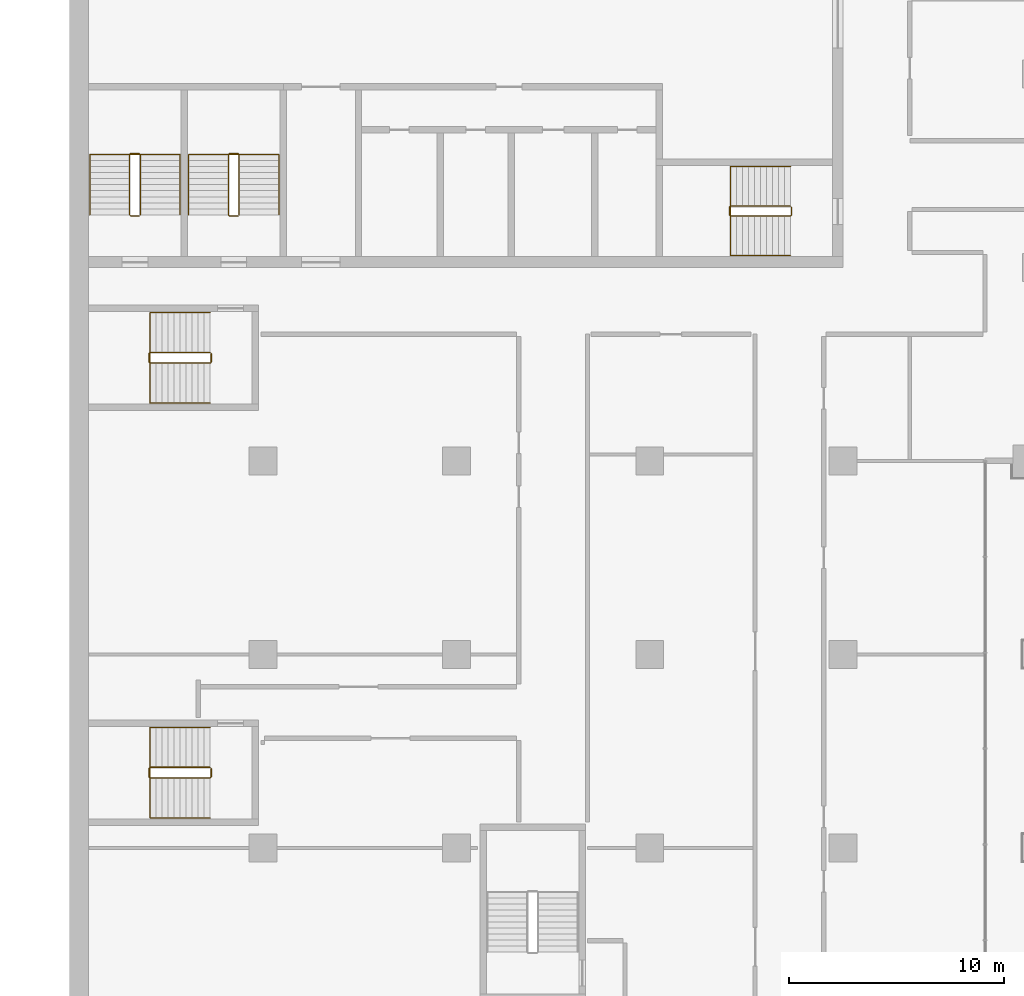
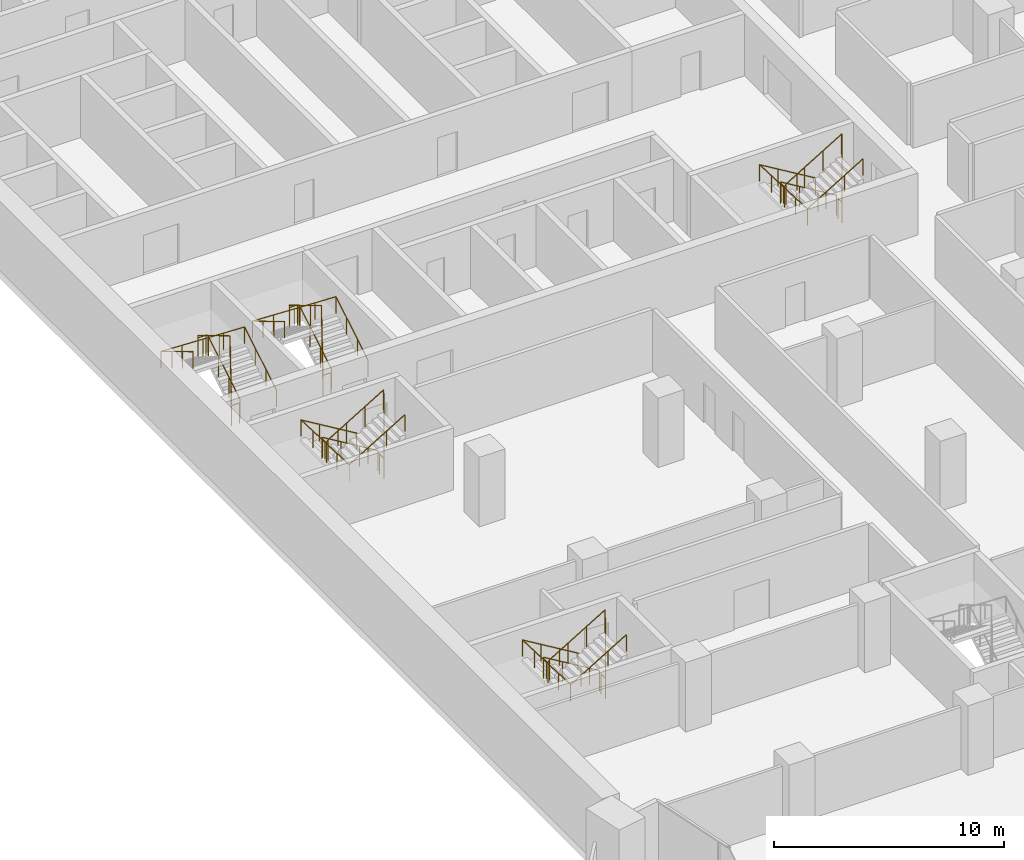
# One storey, part 21 of 23: 10 railings.
"""IFC4 building model written with IfcOpenShell, lengths in metres."""

from ifc_helpers import new_model, si_unit, direction, frame, origin, origin_2d, place, context, subcontext, project, spatial, circle, extrude, material, type_object, element, save


model = new_model("IFC4")

# Units and contexts
model_context = context("Model", 3, precision=1e-05, world=origin(), true_north=direction((0.0, 1.0)))
body_context = subcontext(model_context, "Body", "Model", "MODEL_VIEW")
ifc_project = project(units=[si_unit("LENGTHUNIT", "METRE"), si_unit("AREAUNIT", "SQUARE_METRE"), si_unit("VOLUMEUNIT", "CUBIC_METRE"), si_unit("PLANEANGLEUNIT", "RADIAN"), si_unit("MASSUNIT", "GRAM", prefix="KILO")], contexts=[model_context])

# Site, building, storey
site_placement = place(None, origin())
site = spatial("IfcSite", under=ifc_project, at=site_placement, CompositionType="ELEMENT")
building_placement = place(site_placement, origin())
building = spatial("IfcBuilding", under=site, at=building_placement, Name="Hunhe Ridgeline Campus", CompositionType="ELEMENT")
storey_placement = place(building_placement, frame((0.0, 0.0, 99.60009765625)))
storey = spatial("IfcBuildingStorey", under=building, at=storey_placement, Name="L24", CompositionType="ELEMENT", Elevation=99.60009765625)

# Railings
ifc_material_1 = material(Name="Stainless steel balustrade", Category="steel")
railing_type_1 = type_object("IfcRailingType", Name="Stair guard 1100 stainless", PredefinedType="GUARDRAIL", material=ifc_material_1)
railing_1_placement = place(storey_placement, frame((33.550048828125, 65.85009765625, 0.16796875)))
element("IfcRailing", 1, at=railing_1_placement, inside=storey, type_object=railing_type_1, Name="L24 stair S2 guard", PredefinedType="GUARDRAIL", context=body_context, shape_type="SweptSolid", body=[
    extrude(circle(Radius=0.02392578125, at=origin_2d()), frame((0.0, 0.0, 1.076171875), z_axis=(-0.857242210791, 0.0, 0.514913383045), x_axis=(0.0, -1.0, 0.0)), (0.0, 0.0, 1.0), 3.266357421875),
    extrude(circle(Radius=0.02392578125, at=origin_2d()), frame((-2.800048828125, 0.0, 2.7578125), z_axis=(-0.707106781187, -0.707106781187, 0.0), x_axis=(0.707106781187, -0.707106781187, 0.0)), (0.0, 0.0, 1.0), 0.07080078125),
    extrude(circle(Radius=0.02392578125, at=origin_2d()), frame((-2.85009765625, -0.050048828125, 2.7578125), z_axis=(0.0, -1.0, 0.0), x_axis=(1.0, 0.0, 0.0)), (0.0, 0.0, 1.0), 0.35009765625),
    extrude(circle(Radius=0.02392578125, at=origin_2d()), frame((-2.85009765625, -0.400146484375, 2.7578125), z_axis=(0.274243871929, -0.274243871929, 0.92172696468), x_axis=(0.707106781187, 0.707106781187, 0.0)), (0.0, 0.0, 1.0), 0.1826171875),
    extrude(circle(Radius=0.02392578125, at=origin_2d()), frame((-2.800048828125, -0.4501953125, 2.92626953125), z_axis=(0.857242210791, 0.0, 0.514913383045), x_axis=(0.0, 1.0, 0.0)), (0.0, 0.0, 1.0), 3.266357421875),
    extrude(circle(Radius=0.02392578125, at=origin_2d()), frame((0.0, -0.4501953125, 4.60791015625), z_axis=(0.013524414389, 0.013524414389, -0.999817073484), x_axis=(-0.707106781187, 0.707106781187, 0.0)), (0.0, 0.0, 1.0), 3.70068359375),
    extrude(circle(Radius=0.02392578125, at=origin_2d()), frame((0.050048828125, -0.400146484375, 0.908203125), z_axis=(0.0, 1.0, 0.0), x_axis=(-1.0, 0.0, 0.0)), (0.0, 0.0, 1.0), 0.35009765625),
    extrude(circle(Radius=0.02099609375, at=origin_2d()), origin(), (0.0, 0.0, 1.0), 1.052001953125),
    extrude(circle(Radius=0.02099609375, at=origin_2d()), frame((-0.933349609375, 0.0, 0.560546875)), (0.0, 0.0, 1.0), 1.052001953125),
    extrude(circle(Radius=0.02099609375, at=origin_2d()), frame((-1.86669921875, 0.0, 1.121337890625)), (0.0, 0.0, 1.0), 1.052001953125),
    extrude(circle(Radius=0.02099609375, at=origin_2d()), frame((-2.800048828125, 0.0, 1.681884765625)), (0.0, 0.0, 1.0), 1.052001953125),
    extrude(circle(Radius=0.02099609375, at=origin_2d()), frame((-2.85009765625, -0.050048828125, 1.681884765625)), (0.0, 0.0, 1.0), 1.052001953125),
    extrude(circle(Radius=0.02099609375, at=origin_2d()), frame((-2.85009765625, -0.400146484375, 1.681884765625)), (0.0, 0.0, 1.0), 1.052001953125),
    extrude(circle(Radius=0.02099609375, at=origin_2d()), frame((-2.800048828125, -0.4501953125, 1.85009765625)), (0.0, 0.0, 1.0), 1.052001953125),
    extrude(circle(Radius=0.02099609375, at=origin_2d()), frame((-1.86669921875, -0.4501953125, 2.41064453125)), (0.0, 0.0, 1.0), 1.052001953125),
    extrude(circle(Radius=0.02099609375, at=origin_2d()), frame((-0.933349609375, -0.4501953125, 2.971435546875)), (0.0, 0.0, 1.0), 1.052001953125),
    extrude(circle(Radius=0.02099609375, at=origin_2d()), frame((0.0, -0.4501953125, 3.531982421875)), (0.0, 0.0, 1.0), 1.052001953125),
    extrude(circle(Radius=0.02099609375, at=origin_2d()), frame((0.012451171875, -0.437744140625, 2.60693359375)), (0.0, 0.0, 1.0), 1.052001953125),
    extrude(circle(Radius=0.02099609375, at=origin_2d()), frame((0.02490234375, -0.42529296875, 1.68212890625)), (0.0, 0.0, 1.0), 1.052001953125),
    extrude(circle(Radius=0.02099609375, at=origin_2d()), frame((0.03759765625, -0.41259765625, 0.757080078125)), (0.0, 0.0, 1.0), 1.052001953125),
    extrude(circle(Radius=0.02099609375, at=origin_2d()), frame((0.050048828125, -0.400146484375, -0.16796875)), (0.0, 0.0, 1.0), 1.052001953125),
    extrude(circle(Radius=0.02099609375, at=origin_2d()), frame((0.050048828125, -0.050048828125, -0.16796875)), (0.0, 0.0, 1.0), 1.052001953125),
])
railing_2_placement = place(storey_placement, frame((3.300048828125, 65.449951171875, 0.16796875)))
element("IfcRailing", 2, at=railing_2_placement, inside=storey, type_object=railing_type_1, Name="L24 stair S3 guard", PredefinedType="GUARDRAIL", context=body_context, shape_type="SweptSolid", body=[
    extrude(circle(Radius=0.02392578125, at=origin_2d()), frame((0.0, 0.0, 1.076171875), z_axis=(0.0, 0.857242210791, 0.514913383045), x_axis=(-1.0, 0.0, 0.0)), (0.0, 0.0, 1.0), 3.266357421875),
    extrude(circle(Radius=0.02392578125, at=origin_2d()), frame((0.0, 2.800048828125, 2.7578125), z_axis=(-0.707106781187, 0.707106781187, 0.0), x_axis=(-0.707106781187, -0.707106781187, 0.0)), (0.0, 0.0, 1.0), 0.07080078125),
    extrude(circle(Radius=0.02392578125, at=origin_2d()), frame((-0.050048828125, 2.85009765625, 2.7578125), z_axis=(-1.0, 0.0, 0.0), x_axis=(0.0, -1.0, 0.0)), (0.0, 0.0, 1.0), 0.39990234375),
    extrude(circle(Radius=0.02392578125, at=origin_2d()), frame((-0.449951171875, 2.85009765625, 2.7578125), z_axis=(-0.274243871929, -0.274243871929, 0.92172696468), x_axis=(0.707106781187, -0.707106781187, 0.0)), (0.0, 0.0, 1.0), 0.1826171875),
    extrude(circle(Radius=0.02392578125, at=origin_2d()), frame((-0.5, 2.800048828125, 2.92626953125), z_axis=(0.0, -0.857242210791, 0.514913383045), x_axis=(1.0, 0.0, 0.0)), (0.0, 0.0, 1.0), 3.266357421875),
    extrude(circle(Radius=0.02392578125, at=origin_2d()), frame((-0.5, 0.0, 4.60791015625), z_axis=(0.013524414389, -0.013524414389, -0.999817073484), x_axis=(0.707106781187, 0.707106781187, 0.0)), (0.0, 0.0, 1.0), 3.70068359375),
    extrude(circle(Radius=0.02392578125, at=origin_2d()), frame((-0.449951171875, -0.050048828125, 0.908203125), z_axis=(1.0, 0.0, 0.0), x_axis=(0.0, 1.0, 0.0)), (0.0, 0.0, 1.0), 0.39990234375),
    extrude(circle(Radius=0.02099609375, at=origin_2d()), origin(), (0.0, 0.0, 1.0), 1.052001953125),
    extrude(circle(Radius=0.02099609375, at=origin_2d()), frame((0.0, 0.933349609375, 0.560546875)), (0.0, 0.0, 1.0), 1.052001953125),
    extrude(circle(Radius=0.02099609375, at=origin_2d()), frame((0.0, 1.86669921875, 1.121337890625)), (0.0, 0.0, 1.0), 1.052001953125),
    extrude(circle(Radius=0.02099609375, at=origin_2d()), frame((0.0, 2.800048828125, 1.681884765625)), (0.0, 0.0, 1.0), 1.052001953125),
    extrude(circle(Radius=0.02099609375, at=origin_2d()), frame((-0.050048828125, 2.85009765625, 1.681884765625)), (0.0, 0.0, 1.0), 1.052001953125),
    extrude(circle(Radius=0.02099609375, at=origin_2d()), frame((-0.449951171875, 2.85009765625, 1.681884765625)), (0.0, 0.0, 1.0), 1.052001953125),
    extrude(circle(Radius=0.02099609375, at=origin_2d()), frame((-0.5, 2.800048828125, 1.85009765625)), (0.0, 0.0, 1.0), 1.052001953125),
    extrude(circle(Radius=0.02099609375, at=origin_2d()), frame((-0.5, 1.86669921875, 2.41064453125)), (0.0, 0.0, 1.0), 1.052001953125),
    extrude(circle(Radius=0.02099609375, at=origin_2d()), frame((-0.5, 0.933349609375, 2.971435546875)), (0.0, 0.0, 1.0), 1.052001953125),
    extrude(circle(Radius=0.02099609375, at=origin_2d()), frame((-0.5, 0.0, 3.531982421875)), (0.0, 0.0, 1.0), 1.052001953125),
    extrude(circle(Radius=0.02099609375, at=origin_2d()), frame((-0.487548828125, -0.012451171875, 2.60693359375)), (0.0, 0.0, 1.0), 1.052001953125),
    extrude(circle(Radius=0.02099609375, at=origin_2d()), frame((-0.47509765625, -0.02490234375, 1.68212890625)), (0.0, 0.0, 1.0), 1.052001953125),
    extrude(circle(Radius=0.02099609375, at=origin_2d()), frame((-0.46240234375, -0.03759765625, 0.757080078125)), (0.0, 0.0, 1.0), 1.052001953125),
    extrude(circle(Radius=0.02099609375, at=origin_2d()), frame((-0.449951171875, -0.050048828125, -0.16796875)), (0.0, 0.0, 1.0), 1.052001953125),
    extrude(circle(Radius=0.02099609375, at=origin_2d()), frame((-0.050048828125, -0.050048828125, -0.16796875)), (0.0, 0.0, 1.0), 1.052001953125),
])
railing_3_placement = place(storey_placement, frame((7.89990234375, 65.449951171875, 0.16796875)))
element("IfcRailing", 3, at=railing_3_placement, inside=storey, type_object=railing_type_1, Name="L24 stair S4 guard", PredefinedType="GUARDRAIL", context=body_context, shape_type="SweptSolid", body=[
    extrude(circle(Radius=0.02392578125, at=origin_2d()), frame((0.0, 0.0, 1.076171875), z_axis=(0.0, 0.857242210791, 0.514913383045), x_axis=(-1.0, 0.0, 0.0)), (0.0, 0.0, 1.0), 3.266357421875),
    extrude(circle(Radius=0.02392578125, at=origin_2d()), frame((0.0, 2.800048828125, 2.7578125), z_axis=(-0.705375805398, 0.708833529934, 0.0), x_axis=(-0.708833529934, -0.705375805398, 0.0)), (0.0, 0.0, 1.0), 0.070556640625),
    extrude(circle(Radius=0.02392578125, at=origin_2d()), frame((-0.0498046875, 2.85009765625, 2.7578125), z_axis=(-1.0, 0.0, 0.0), x_axis=(0.0, -1.0, 0.0)), (0.0, 0.0, 1.0), 0.400146484375),
    extrude(circle(Radius=0.02392578125, at=origin_2d()), frame((-0.449951171875, 2.85009765625, 2.7578125), z_axis=(-0.274243871929, -0.274243871929, 0.92172696468), x_axis=(0.707106781187, -0.707106781187, 0.0)), (0.0, 0.0, 1.0), 0.1826171875),
    extrude(circle(Radius=0.02392578125, at=origin_2d()), frame((-0.5, 2.800048828125, 2.92626953125), z_axis=(0.0, -0.857242210791, 0.514913383045), x_axis=(1.0, 0.0, 0.0)), (0.0, 0.0, 1.0), 3.266357421875),
    extrude(circle(Radius=0.02392578125, at=origin_2d()), frame((-0.5, 0.0, 4.60791015625), z_axis=(0.013524414389, -0.013524414389, -0.999817073484), x_axis=(0.707106781187, 0.707106781187, 0.0)), (0.0, 0.0, 1.0), 3.70068359375),
    extrude(circle(Radius=0.02392578125, at=origin_2d()), frame((-0.449951171875, -0.050048828125, 0.908203125), z_axis=(1.0, 0.0, 0.0), x_axis=(0.0, 1.0, 0.0)), (0.0, 0.0, 1.0), 0.400146484375),
    extrude(circle(Radius=0.02099609375, at=origin_2d()), origin(), (0.0, 0.0, 1.0), 1.052001953125),
    extrude(circle(Radius=0.02099609375, at=origin_2d()), frame((0.0, 0.933349609375, 0.560546875)), (0.0, 0.0, 1.0), 1.052001953125),
    extrude(circle(Radius=0.02099609375, at=origin_2d()), frame((0.0, 1.86669921875, 1.121337890625)), (0.0, 0.0, 1.0), 1.052001953125),
    extrude(circle(Radius=0.02099609375, at=origin_2d()), frame((0.0, 2.800048828125, 1.681884765625)), (0.0, 0.0, 1.0), 1.052001953125),
    extrude(circle(Radius=0.02099609375, at=origin_2d()), frame((-0.0498046875, 2.85009765625, 1.681884765625)), (0.0, 0.0, 1.0), 1.052001953125),
    extrude(circle(Radius=0.02099609375, at=origin_2d()), frame((-0.449951171875, 2.85009765625, 1.681884765625)), (0.0, 0.0, 1.0), 1.052001953125),
    extrude(circle(Radius=0.02099609375, at=origin_2d()), frame((-0.5, 2.800048828125, 1.85009765625)), (0.0, 0.0, 1.0), 1.052001953125),
    extrude(circle(Radius=0.02099609375, at=origin_2d()), frame((-0.5, 1.86669921875, 2.41064453125)), (0.0, 0.0, 1.0), 1.052001953125),
    extrude(circle(Radius=0.02099609375, at=origin_2d()), frame((-0.5, 0.933349609375, 2.971435546875)), (0.0, 0.0, 1.0), 1.052001953125),
    extrude(circle(Radius=0.02099609375, at=origin_2d()), frame((-0.5, 0.0, 3.531982421875)), (0.0, 0.0, 1.0), 1.052001953125),
    extrude(circle(Radius=0.02099609375, at=origin_2d()), frame((-0.487548828125, -0.012451171875, 2.60693359375)), (0.0, 0.0, 1.0), 1.052001953125),
    extrude(circle(Radius=0.02099609375, at=origin_2d()), frame((-0.47509765625, -0.02490234375, 1.68212890625)), (0.0, 0.0, 1.0), 1.052001953125),
    extrude(circle(Radius=0.02099609375, at=origin_2d()), frame((-0.46240234375, -0.03759765625, 0.757080078125)), (0.0, 0.0, 1.0), 1.052001953125),
    extrude(circle(Radius=0.02099609375, at=origin_2d()), frame((-0.449951171875, -0.050048828125, -0.16796875)), (0.0, 0.0, 1.0), 1.052001953125),
    extrude(circle(Radius=0.02099609375, at=origin_2d()), frame((-0.0498046875, -0.050048828125, -0.16796875)), (0.0, 0.0, 1.0), 1.052001953125),
])
railing_4_placement = place(storey_placement, frame((6.550048828125, 39.75, 0.16796875)))
element("IfcRailing", 4, at=railing_4_placement, inside=storey, type_object=railing_type_1, Name="L24 stair W1 guard", PredefinedType="GUARDRAIL", context=body_context, shape_type="SweptSolid", body=[
    extrude(circle(Radius=0.02392578125, at=origin_2d()), frame((0.0, 0.0, 1.076171875), z_axis=(-0.857242210791, 0.0, 0.514913383045), x_axis=(0.0, -1.0, 0.0)), (0.0, 0.0, 1.0), 3.266357421875),
    extrude(circle(Radius=0.02392578125, at=origin_2d()), frame((-2.800048828125, 0.0, 2.7578125), z_axis=(-0.707106781187, -0.707106781187, 0.0), x_axis=(0.707106781187, -0.707106781187, 0.0)), (0.0, 0.0, 1.0), 0.07080078125),
    extrude(circle(Radius=0.02392578125, at=origin_2d()), frame((-2.85009765625, -0.050048828125, 2.7578125), z_axis=(0.0, -1.0, 0.0), x_axis=(1.0, 0.0, 0.0)), (0.0, 0.0, 1.0), 0.39990234375),
    extrude(circle(Radius=0.02392578125, at=origin_2d()), frame((-2.85009765625, -0.449951171875, 2.7578125), z_axis=(0.274243871929, -0.274243871929, 0.92172696468), x_axis=(0.707106781187, 0.707106781187, 0.0)), (0.0, 0.0, 1.0), 0.1826171875),
    extrude(circle(Radius=0.02392578125, at=origin_2d()), frame((-2.800048828125, -0.5, 2.92626953125), z_axis=(0.857242210791, 0.0, 0.514913383045), x_axis=(0.0, 1.0, 0.0)), (0.0, 0.0, 1.0), 3.266357421875),
    extrude(circle(Radius=0.02392578125, at=origin_2d()), frame((0.0, -0.5, 4.60791015625), z_axis=(0.013524414389, 0.013524414389, -0.999817073484), x_axis=(-0.707106781187, 0.707106781187, 0.0)), (0.0, 0.0, 1.0), 3.70068359375),
    extrude(circle(Radius=0.02392578125, at=origin_2d()), frame((0.050048828125, -0.449951171875, 0.908203125), z_axis=(0.0, 1.0, 0.0), x_axis=(-1.0, 0.0, 0.0)), (0.0, 0.0, 1.0), 0.39990234375),
    extrude(circle(Radius=0.02099609375, at=origin_2d()), origin(), (0.0, 0.0, 1.0), 1.052001953125),
    extrude(circle(Radius=0.02099609375, at=origin_2d()), frame((-0.933349609375, 0.0, 0.560546875)), (0.0, 0.0, 1.0), 1.052001953125),
    extrude(circle(Radius=0.02099609375, at=origin_2d()), frame((-1.86669921875, 0.0, 1.121337890625)), (0.0, 0.0, 1.0), 1.052001953125),
    extrude(circle(Radius=0.02099609375, at=origin_2d()), frame((-2.800048828125, 0.0, 1.681884765625)), (0.0, 0.0, 1.0), 1.052001953125),
    extrude(circle(Radius=0.02099609375, at=origin_2d()), frame((-2.85009765625, -0.050048828125, 1.681884765625)), (0.0, 0.0, 1.0), 1.052001953125),
    extrude(circle(Radius=0.02099609375, at=origin_2d()), frame((-2.85009765625, -0.449951171875, 1.681884765625)), (0.0, 0.0, 1.0), 1.052001953125),
    extrude(circle(Radius=0.02099609375, at=origin_2d()), frame((-2.800048828125, -0.5, 1.85009765625)), (0.0, 0.0, 1.0), 1.052001953125),
    extrude(circle(Radius=0.02099609375, at=origin_2d()), frame((-1.86669921875, -0.5, 2.41064453125)), (0.0, 0.0, 1.0), 1.052001953125),
    extrude(circle(Radius=0.02099609375, at=origin_2d()), frame((-0.933349609375, -0.5, 2.971435546875)), (0.0, 0.0, 1.0), 1.052001953125),
    extrude(circle(Radius=0.02099609375, at=origin_2d()), frame((0.0, -0.5, 3.531982421875)), (0.0, 0.0, 1.0), 1.052001953125),
    extrude(circle(Radius=0.02099609375, at=origin_2d()), frame((0.012451171875, -0.487548828125, 2.60693359375)), (0.0, 0.0, 1.0), 1.052001953125),
    extrude(circle(Radius=0.02099609375, at=origin_2d()), frame((0.02490234375, -0.47509765625, 1.68212890625)), (0.0, 0.0, 1.0), 1.052001953125),
    extrude(circle(Radius=0.02099609375, at=origin_2d()), frame((0.03759765625, -0.46240234375, 0.757080078125)), (0.0, 0.0, 1.0), 1.052001953125),
    extrude(circle(Radius=0.02099609375, at=origin_2d()), frame((0.050048828125, -0.449951171875, -0.16796875)), (0.0, 0.0, 1.0), 1.052001953125),
    extrude(circle(Radius=0.02099609375, at=origin_2d()), frame((0.050048828125, -0.050048828125, -0.16796875)), (0.0, 0.0, 1.0), 1.052001953125),
])
railing_5_placement = place(storey_placement, frame((6.550048828125, 59.050048828125, 0.16796875)))
element("IfcRailing", 5, at=railing_5_placement, inside=storey, type_object=railing_type_1, Name="L24 stair W2 guard", PredefinedType="GUARDRAIL", context=body_context, shape_type="SweptSolid", body=[
    extrude(circle(Radius=0.02392578125, at=origin_2d()), frame((0.0, 0.0, 1.076171875), z_axis=(-0.857242210791, 0.0, 0.514913383045), x_axis=(0.0, -1.0, 0.0)), (0.0, 0.0, 1.0), 3.266357421875),
    extrude(circle(Radius=0.02392578125, at=origin_2d()), frame((-2.800048828125, 0.0, 2.7578125), z_axis=(-0.707106781187, -0.707106781187, 0.0), x_axis=(0.707106781187, -0.707106781187, 0.0)), (0.0, 0.0, 1.0), 0.07080078125),
    extrude(circle(Radius=0.02392578125, at=origin_2d()), frame((-2.85009765625, -0.050048828125, 2.7578125), z_axis=(0.0, -1.0, 0.0), x_axis=(1.0, 0.0, 0.0)), (0.0, 0.0, 1.0), 0.39990234375),
    extrude(circle(Radius=0.02392578125, at=origin_2d()), frame((-2.85009765625, -0.449951171875, 2.7578125), z_axis=(0.274243871929, -0.274243871929, 0.92172696468), x_axis=(0.707106781187, 0.707106781187, 0.0)), (0.0, 0.0, 1.0), 0.1826171875),
    extrude(circle(Radius=0.02392578125, at=origin_2d()), frame((-2.800048828125, -0.5, 2.92626953125), z_axis=(0.857242210791, 0.0, 0.514913383045), x_axis=(0.0, 1.0, 0.0)), (0.0, 0.0, 1.0), 3.266357421875),
    extrude(circle(Radius=0.02392578125, at=origin_2d()), frame((0.0, -0.5, 4.60791015625), z_axis=(0.013524414389, 0.013524414389, -0.999817073484), x_axis=(-0.707106781187, 0.707106781187, 0.0)), (0.0, 0.0, 1.0), 3.70068359375),
    extrude(circle(Radius=0.02392578125, at=origin_2d()), frame((0.050048828125, -0.449951171875, 0.908203125), z_axis=(0.0, 1.0, 0.0), x_axis=(-1.0, 0.0, 0.0)), (0.0, 0.0, 1.0), 0.39990234375),
    extrude(circle(Radius=0.02099609375, at=origin_2d()), origin(), (0.0, 0.0, 1.0), 1.052001953125),
    extrude(circle(Radius=0.02099609375, at=origin_2d()), frame((-0.933349609375, 0.0, 0.560546875)), (0.0, 0.0, 1.0), 1.052001953125),
    extrude(circle(Radius=0.02099609375, at=origin_2d()), frame((-1.86669921875, 0.0, 1.121337890625)), (0.0, 0.0, 1.0), 1.052001953125),
    extrude(circle(Radius=0.02099609375, at=origin_2d()), frame((-2.800048828125, 0.0, 1.681884765625)), (0.0, 0.0, 1.0), 1.052001953125),
    extrude(circle(Radius=0.02099609375, at=origin_2d()), frame((-2.85009765625, -0.050048828125, 1.681884765625)), (0.0, 0.0, 1.0), 1.052001953125),
    extrude(circle(Radius=0.02099609375, at=origin_2d()), frame((-2.85009765625, -0.449951171875, 1.681884765625)), (0.0, 0.0, 1.0), 1.052001953125),
    extrude(circle(Radius=0.02099609375, at=origin_2d()), frame((-2.800048828125, -0.5, 1.85009765625)), (0.0, 0.0, 1.0), 1.052001953125),
    extrude(circle(Radius=0.02099609375, at=origin_2d()), frame((-1.86669921875, -0.5, 2.41064453125)), (0.0, 0.0, 1.0), 1.052001953125),
    extrude(circle(Radius=0.02099609375, at=origin_2d()), frame((-0.933349609375, -0.5, 2.971435546875)), (0.0, 0.0, 1.0), 1.052001953125),
    extrude(circle(Radius=0.02099609375, at=origin_2d()), frame((0.0, -0.5, 3.531982421875)), (0.0, 0.0, 1.0), 1.052001953125),
    extrude(circle(Radius=0.02099609375, at=origin_2d()), frame((0.012451171875, -0.487548828125, 2.60693359375)), (0.0, 0.0, 1.0), 1.052001953125),
    extrude(circle(Radius=0.02099609375, at=origin_2d()), frame((0.02490234375, -0.47509765625, 1.68212890625)), (0.0, 0.0, 1.0), 1.052001953125),
    extrude(circle(Radius=0.02099609375, at=origin_2d()), frame((0.03759765625, -0.46240234375, 0.757080078125)), (0.0, 0.0, 1.0), 1.052001953125),
    extrude(circle(Radius=0.02099609375, at=origin_2d()), frame((0.050048828125, -0.449951171875, -0.16796875)), (0.0, 0.0, 1.0), 1.052001953125),
    extrude(circle(Radius=0.02099609375, at=origin_2d()), frame((0.050048828125, -0.050048828125, -0.16796875)), (0.0, 0.0, 1.0), 1.052001953125),
])
ifc_material_2 = material(Name="Stainless steel handrail", Category="steel")
railing_type_2 = type_object("IfcRailingType", Name="Stair handrail 900 stainless", PredefinedType="HANDRAIL", material=ifc_material_2)
railing_6_placement = place(storey_placement, frame((33.550048828125, 67.699951171875, 0.16796875)))
element("IfcRailing", 6, at=railing_6_placement, inside=storey, type_object=railing_type_2, Name="L24 stair S2 handrail", PredefinedType="HANDRAIL", context=body_context, shape_type="SweptSolid", body=[
    extrude(circle(Radius=0.02392578125, at=origin_2d()), frame((0.0, 0.0, 0.8759765625), z_axis=(-0.857242210791, 0.0, 0.514913383045), x_axis=(0.0, -1.0, 0.0)), (0.0, 0.0, 1.0), 3.266357421875),
    extrude(circle(Radius=0.02392578125, at=origin_2d()), frame((-2.800048828125, 0.0, 2.5576171875), z_axis=(0.0, -0.99917950104, 0.040500922239), x_axis=(1.0, 0.0, 0.0)), (0.0, 0.0, 1.0), 4.1533203125),
    extrude(circle(Radius=0.02392578125, at=origin_2d()), frame((-2.800048828125, -4.14990234375, 2.72607421875), z_axis=(0.857242210791, 0.0, 0.514913383045), x_axis=(0.0, 1.0, 0.0)), (0.0, 0.0, 1.0), 3.266357421875),
    extrude(circle(Radius=0.02099609375, at=origin_2d()), origin(), (0.0, 0.0, 1.0), 0.851806640625),
    extrude(circle(Radius=0.02099609375, at=origin_2d()), frame((-0.933349609375, 0.0, 0.560546875)), (0.0, 0.0, 1.0), 0.851806640625),
    extrude(circle(Radius=0.02099609375, at=origin_2d()), frame((-1.86669921875, 0.0, 1.121337890625)), (0.0, 0.0, 1.0), 0.851806640625),
    extrude(circle(Radius=0.02099609375, at=origin_2d()), frame((-2.800048828125, 0.0, 1.681884765625)), (0.0, 0.0, 1.0), 0.851806640625),
    extrude(circle(Radius=0.02099609375, at=origin_2d()), frame((-2.800048828125, -1.03759765625, 1.723876953125)), (0.0, 0.0, 1.0), 0.851806640625),
    extrude(circle(Radius=0.02099609375, at=origin_2d()), frame((-2.800048828125, -2.074951171875, 1.76611328125)), (0.0, 0.0, 1.0), 0.851806640625),
    extrude(circle(Radius=0.02099609375, at=origin_2d()), frame((-2.800048828125, -3.1123046875, 1.80810546875)), (0.0, 0.0, 1.0), 0.851806640625),
    extrude(circle(Radius=0.02099609375, at=origin_2d()), frame((-2.800048828125, -4.14990234375, 1.85009765625)), (0.0, 0.0, 1.0), 0.851806640625),
    extrude(circle(Radius=0.02099609375, at=origin_2d()), frame((-1.86669921875, -4.14990234375, 2.41064453125)), (0.0, 0.0, 1.0), 0.851806640625),
    extrude(circle(Radius=0.02099609375, at=origin_2d()), frame((-0.933349609375, -4.14990234375, 2.971435546875)), (0.0, 0.0, 1.0), 0.851806640625),
    extrude(circle(Radius=0.02099609375, at=origin_2d()), frame((0.0, -4.14990234375, 3.531982421875)), (0.0, 0.0, 1.0), 0.851806640625),
])
railing_7_placement = place(storey_placement, frame((5.14990234375, 65.449951171875, 0.16796875)))
element("IfcRailing", 7, at=railing_7_placement, inside=storey, type_object=railing_type_2, Name="L24 stair S3 handrail", PredefinedType="HANDRAIL", context=body_context, shape_type="SweptSolid", body=[
    extrude(circle(Radius=0.02392578125, at=origin_2d()), frame((0.0, 0.0, 0.8759765625), z_axis=(0.0, 0.857242210791, 0.514913383045), x_axis=(-1.0, 0.0, 0.0)), (0.0, 0.0, 1.0), 3.266357421875),
    extrude(circle(Radius=0.02392578125, at=origin_2d()), frame((0.0, 2.800048828125, 2.5576171875), z_axis=(-0.999198916169, 0.0, 0.040019069537), x_axis=(0.0, -1.0, 0.0)), (0.0, 0.0, 1.0), 4.203369140625),
    extrude(circle(Radius=0.02392578125, at=origin_2d()), frame((-4.199951171875, 2.800048828125, 2.72607421875), z_axis=(0.0, -0.857242210791, 0.514913383045), x_axis=(1.0, 0.0, 0.0)), (0.0, 0.0, 1.0), 3.266357421875),
    extrude(circle(Radius=0.02099609375, at=origin_2d()), origin(), (0.0, 0.0, 1.0), 0.851806640625),
    extrude(circle(Radius=0.02099609375, at=origin_2d()), frame((0.0, 0.933349609375, 0.560546875)), (0.0, 0.0, 1.0), 0.851806640625),
    extrude(circle(Radius=0.02099609375, at=origin_2d()), frame((0.0, 1.86669921875, 1.121337890625)), (0.0, 0.0, 1.0), 0.851806640625),
    extrude(circle(Radius=0.02099609375, at=origin_2d()), frame((0.0, 2.800048828125, 1.681884765625)), (0.0, 0.0, 1.0), 0.851806640625),
    extrude(circle(Radius=0.02099609375, at=origin_2d()), frame((-1.050048828125, 2.800048828125, 1.723876953125)), (0.0, 0.0, 1.0), 0.851806640625),
    extrude(circle(Radius=0.02099609375, at=origin_2d()), frame((-2.10009765625, 2.800048828125, 1.76611328125)), (0.0, 0.0, 1.0), 0.851806640625),
    extrude(circle(Radius=0.02099609375, at=origin_2d()), frame((-3.14990234375, 2.800048828125, 1.80810546875)), (0.0, 0.0, 1.0), 0.851806640625),
    extrude(circle(Radius=0.02099609375, at=origin_2d()), frame((-4.199951171875, 2.800048828125, 1.85009765625)), (0.0, 0.0, 1.0), 0.851806640625),
    extrude(circle(Radius=0.02099609375, at=origin_2d()), frame((-4.199951171875, 1.86669921875, 2.41064453125)), (0.0, 0.0, 1.0), 0.851806640625),
    extrude(circle(Radius=0.02099609375, at=origin_2d()), frame((-4.199951171875, 0.933349609375, 2.971435546875)), (0.0, 0.0, 1.0), 0.851806640625),
    extrude(circle(Radius=0.02099609375, at=origin_2d()), frame((-4.199951171875, 0.0, 3.531982421875)), (0.0, 0.0, 1.0), 0.851806640625),
])
railing_8_placement = place(storey_placement, frame((9.75, 65.449951171875, 0.16796875)))
element("IfcRailing", 8, at=railing_8_placement, inside=storey, type_object=railing_type_2, Name="L24 stair S4 handrail", PredefinedType="HANDRAIL", context=body_context, shape_type="SweptSolid", body=[
    extrude(circle(Radius=0.02392578125, at=origin_2d()), frame((0.0, 0.0, 0.8759765625), z_axis=(0.0, 0.857242210791, 0.514913383045), x_axis=(-1.0, 0.0, 0.0)), (0.0, 0.0, 1.0), 3.266357421875),
    extrude(circle(Radius=0.02392578125, at=origin_2d()), frame((0.0, 2.800048828125, 2.5576171875), z_axis=(-0.999198916169, 0.0, 0.040019069537), x_axis=(0.0, -1.0, 0.0)), (0.0, 0.0, 1.0), 4.203369140625),
    extrude(circle(Radius=0.02392578125, at=origin_2d()), frame((-4.199951171875, 2.800048828125, 2.72607421875), z_axis=(0.0, -0.857242210791, 0.514913383045), x_axis=(1.0, 0.0, 0.0)), (0.0, 0.0, 1.0), 3.266357421875),
    extrude(circle(Radius=0.02099609375, at=origin_2d()), origin(), (0.0, 0.0, 1.0), 0.851806640625),
    extrude(circle(Radius=0.02099609375, at=origin_2d()), frame((0.0, 0.933349609375, 0.560546875)), (0.0, 0.0, 1.0), 0.851806640625),
    extrude(circle(Radius=0.02099609375, at=origin_2d()), frame((0.0, 1.86669921875, 1.121337890625)), (0.0, 0.0, 1.0), 0.851806640625),
    extrude(circle(Radius=0.02099609375, at=origin_2d()), frame((0.0, 2.800048828125, 1.681884765625)), (0.0, 0.0, 1.0), 0.851806640625),
    extrude(circle(Radius=0.02099609375, at=origin_2d()), frame((-1.050048828125, 2.800048828125, 1.723876953125)), (0.0, 0.0, 1.0), 0.851806640625),
    extrude(circle(Radius=0.02099609375, at=origin_2d()), frame((-2.10009765625, 2.800048828125, 1.76611328125)), (0.0, 0.0, 1.0), 0.851806640625),
    extrude(circle(Radius=0.02099609375, at=origin_2d()), frame((-3.14990234375, 2.800048828125, 1.80810546875)), (0.0, 0.0, 1.0), 0.851806640625),
    extrude(circle(Radius=0.02099609375, at=origin_2d()), frame((-4.199951171875, 2.800048828125, 1.85009765625)), (0.0, 0.0, 1.0), 0.851806640625),
    extrude(circle(Radius=0.02099609375, at=origin_2d()), frame((-4.199951171875, 1.86669921875, 2.41064453125)), (0.0, 0.0, 1.0), 0.851806640625),
    extrude(circle(Radius=0.02099609375, at=origin_2d()), frame((-4.199951171875, 0.933349609375, 2.971435546875)), (0.0, 0.0, 1.0), 0.851806640625),
    extrude(circle(Radius=0.02099609375, at=origin_2d()), frame((-4.199951171875, 0.0, 3.531982421875)), (0.0, 0.0, 1.0), 0.851806640625),
])
railing_9_placement = place(storey_placement, frame((6.550048828125, 41.60009765625, 0.16796875)))
element("IfcRailing", 9, at=railing_9_placement, inside=storey, type_object=railing_type_2, Name="L24 stair W1 handrail", PredefinedType="HANDRAIL", context=body_context, shape_type="SweptSolid", body=[
    extrude(circle(Radius=0.02392578125, at=origin_2d()), frame((0.0, 0.0, 0.8759765625), z_axis=(-0.857242210791, 0.0, 0.514913383045), x_axis=(0.0, -1.0, 0.0)), (0.0, 0.0, 1.0), 3.266357421875),
    extrude(circle(Radius=0.02392578125, at=origin_2d()), frame((-2.800048828125, 0.0, 2.5576171875), z_axis=(0.0, -0.999199009182, 0.040016747113), x_axis=(1.0, 0.0, 0.0)), (0.0, 0.0, 1.0), 4.20361328125),
    extrude(circle(Radius=0.02392578125, at=origin_2d()), frame((-2.800048828125, -4.2001953125, 2.72607421875), z_axis=(0.857242210791, 0.0, 0.514913383045), x_axis=(0.0, 1.0, 0.0)), (0.0, 0.0, 1.0), 3.266357421875),
    extrude(circle(Radius=0.02099609375, at=origin_2d()), origin(), (0.0, 0.0, 1.0), 0.851806640625),
    extrude(circle(Radius=0.02099609375, at=origin_2d()), frame((-0.933349609375, 0.0, 0.560546875)), (0.0, 0.0, 1.0), 0.851806640625),
    extrude(circle(Radius=0.02099609375, at=origin_2d()), frame((-1.86669921875, 0.0, 1.121337890625)), (0.0, 0.0, 1.0), 0.851806640625),
    extrude(circle(Radius=0.02099609375, at=origin_2d()), frame((-2.800048828125, 0.0, 1.681884765625)), (0.0, 0.0, 1.0), 0.851806640625),
    extrude(circle(Radius=0.02099609375, at=origin_2d()), frame((-2.800048828125, -1.050048828125, 1.723876953125)), (0.0, 0.0, 1.0), 0.851806640625),
    extrude(circle(Radius=0.02099609375, at=origin_2d()), frame((-2.800048828125, -2.10009765625, 1.76611328125)), (0.0, 0.0, 1.0), 0.851806640625),
    extrude(circle(Radius=0.02099609375, at=origin_2d()), frame((-2.800048828125, -3.150146484375, 1.80810546875)), (0.0, 0.0, 1.0), 0.851806640625),
    extrude(circle(Radius=0.02099609375, at=origin_2d()), frame((-2.800048828125, -4.2001953125, 1.85009765625)), (0.0, 0.0, 1.0), 0.851806640625),
    extrude(circle(Radius=0.02099609375, at=origin_2d()), frame((-1.86669921875, -4.2001953125, 2.41064453125)), (0.0, 0.0, 1.0), 0.851806640625),
    extrude(circle(Radius=0.02099609375, at=origin_2d()), frame((-0.933349609375, -4.2001953125, 2.971435546875)), (0.0, 0.0, 1.0), 0.851806640625),
    extrude(circle(Radius=0.02099609375, at=origin_2d()), frame((0.0, -4.2001953125, 3.531982421875)), (0.0, 0.0, 1.0), 0.851806640625),
])
railing_10_placement = place(storey_placement, frame((6.550048828125, 60.89990234375, 0.16796875)))
element("IfcRailing", 10, at=railing_10_placement, inside=storey, type_object=railing_type_2, Name="L24 stair W2 handrail", PredefinedType="HANDRAIL", context=body_context, shape_type="SweptSolid", body=[
    extrude(circle(Radius=0.02392578125, at=origin_2d()), frame((0.0, 0.0, 0.8759765625), z_axis=(-0.857242210791, 0.0, 0.514913383045), x_axis=(0.0, -1.0, 0.0)), (0.0, 0.0, 1.0), 3.266357421875),
    extrude(circle(Radius=0.02392578125, at=origin_2d()), frame((-2.800048828125, 0.0, 2.5576171875), z_axis=(0.0, -0.999198916169, 0.040019069537), x_axis=(1.0, 0.0, 0.0)), (0.0, 0.0, 1.0), 4.203369140625),
    extrude(circle(Radius=0.02392578125, at=origin_2d()), frame((-2.800048828125, -4.199951171875, 2.72607421875), z_axis=(0.857242210791, 0.0, 0.514913383045), x_axis=(0.0, 1.0, 0.0)), (0.0, 0.0, 1.0), 3.266357421875),
    extrude(circle(Radius=0.02099609375, at=origin_2d()), origin(), (0.0, 0.0, 1.0), 0.851806640625),
    extrude(circle(Radius=0.02099609375, at=origin_2d()), frame((-0.933349609375, 0.0, 0.560546875)), (0.0, 0.0, 1.0), 0.851806640625),
    extrude(circle(Radius=0.02099609375, at=origin_2d()), frame((-1.86669921875, 0.0, 1.121337890625)), (0.0, 0.0, 1.0), 0.851806640625),
    extrude(circle(Radius=0.02099609375, at=origin_2d()), frame((-2.800048828125, 0.0, 1.681884765625)), (0.0, 0.0, 1.0), 0.851806640625),
    extrude(circle(Radius=0.02099609375, at=origin_2d()), frame((-2.800048828125, -1.050048828125, 1.723876953125)), (0.0, 0.0, 1.0), 0.851806640625),
    extrude(circle(Radius=0.02099609375, at=origin_2d()), frame((-2.800048828125, -2.10009765625, 1.76611328125)), (0.0, 0.0, 1.0), 0.851806640625),
    extrude(circle(Radius=0.02099609375, at=origin_2d()), frame((-2.800048828125, -3.14990234375, 1.80810546875)), (0.0, 0.0, 1.0), 0.851806640625),
    extrude(circle(Radius=0.02099609375, at=origin_2d()), frame((-2.800048828125, -4.199951171875, 1.85009765625)), (0.0, 0.0, 1.0), 0.851806640625),
    extrude(circle(Radius=0.02099609375, at=origin_2d()), frame((-1.86669921875, -4.199951171875, 2.41064453125)), (0.0, 0.0, 1.0), 0.851806640625),
    extrude(circle(Radius=0.02099609375, at=origin_2d()), frame((-0.933349609375, -4.199951171875, 2.971435546875)), (0.0, 0.0, 1.0), 0.851806640625),
    extrude(circle(Radius=0.02099609375, at=origin_2d()), frame((0.0, -4.199951171875, 3.531982421875)), (0.0, 0.0, 1.0), 0.851806640625),
])

save(model, "model.ifc")
